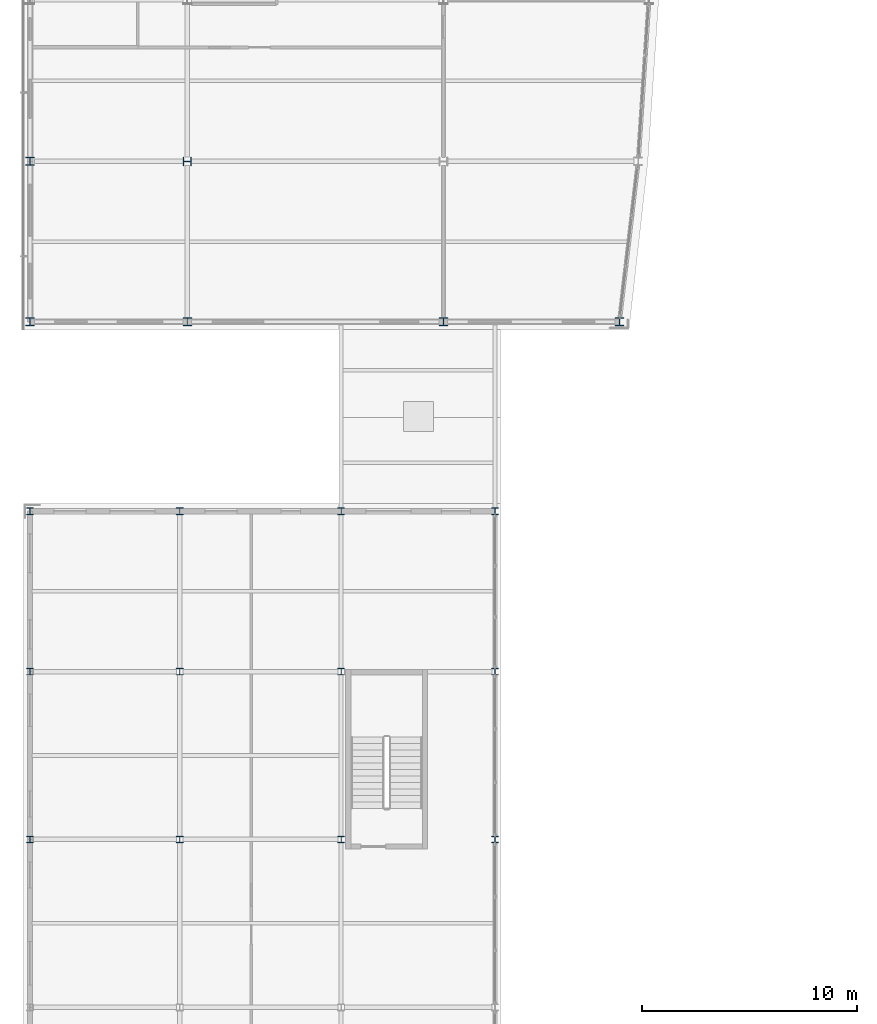
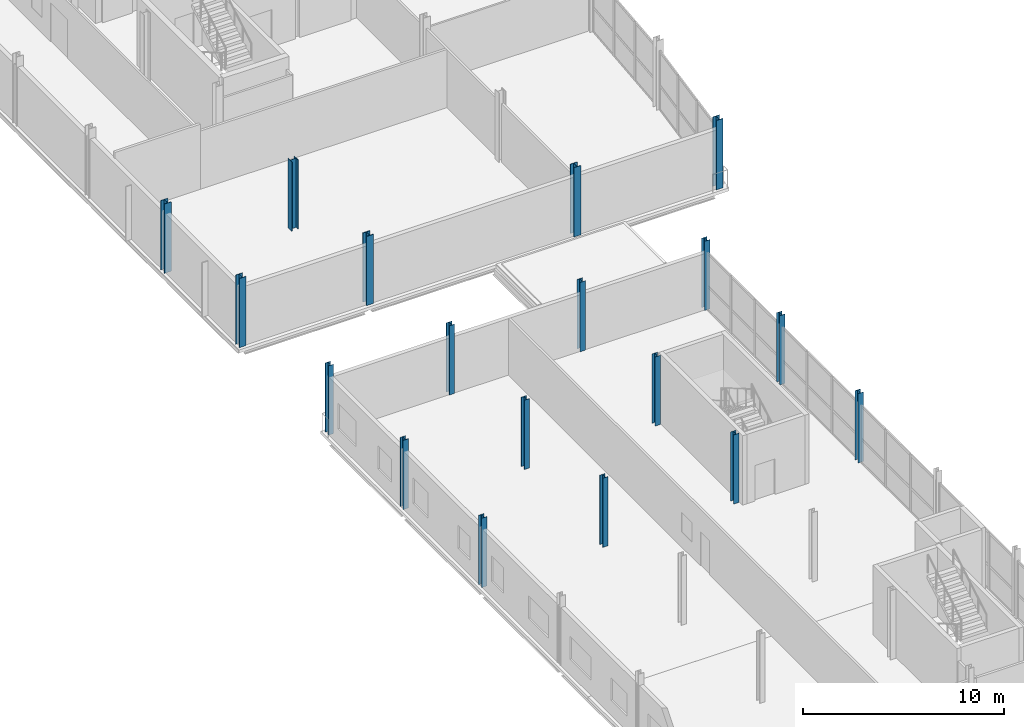
# One storey, part 2 of 65: 18 columns.
"""IFC4 building model written with IfcOpenShell, lengths in metres."""

from ifc_helpers import new_model, si_unit, direction, frame, origin, origin_2d, place, context, subcontext, project, spatial, i_section, extrude, material, material_profile, profile_set, type_object, element, save


model = new_model("IFC4")

# Units and contexts
model_context = context("Model", 3, precision=1e-05, world=origin(), true_north=direction((0.0, 1.0)))
body_context = subcontext(model_context, "Body", "Model", "MODEL_VIEW")
ifc_project = project(units=[si_unit("LENGTHUNIT", "METRE"), si_unit("AREAUNIT", "SQUARE_METRE"), si_unit("VOLUMEUNIT", "CUBIC_METRE"), si_unit("PLANEANGLEUNIT", "RADIAN"), si_unit("MASSUNIT", "GRAM", prefix="KILO")], contexts=[model_context])

# Site, building, storey
site_placement = place(None, origin())
site = spatial("IfcSite", under=ifc_project, at=site_placement, CompositionType="ELEMENT")
building_placement = place(site_placement, origin())
building = spatial("IfcBuilding", under=site, at=building_placement, Name="Quillay Park Conservatory", CompositionType="ELEMENT")
storey_placement = place(building_placement, frame((0.0, 0.0, 14.10009765625)))
storey = spatial("IfcBuildingStorey", under=building, at=storey_placement, Name="L03", CompositionType="ELEMENT", Elevation=14.10009765625)

# Columns
ifc_material_1 = material(Name="Steel ASTM A992 Grade 50", Category="steel")
ifc_material_profile_1 = material_profile(ifc_material_1, i_section(OverallWidth=0.306884765625, OverallDepth=0.31396484375, WebThickness=0.011962890625, FlangeThickness=0.018798828125, FilletRadius=0.014892578125, at=origin_2d()), Name="W310x117")
ifc_profile_set_1 = profile_set([ifc_material_profile_1], Name="Steel ASTM A992 Grade 50")
column_type_1 = type_object("IfcColumnType", Name="COMPOSITE STEEL COLUMN W310 X117", PredefinedType="COLUMN", material=ifc_profile_set_1)
for number, where, z_axis, x_axis, name in (
    (1, (0.550048828125, 39.0, 0.0), (0.0, 0.0, 1.0), (1.0, 0.0, 0.0), "L03 column COL-V3-L03-0-5"),
    (2, (0.550048828125, 46.800048828125, 0.0), (0.0, 0.0, 1.0), (1.0, 0.0, 0.0), "L03 column COL-V3-L03-0-6"),
    (3, (0.550048828125, 54.25, 0.0), (0.0, 0.0, 1.0), (1.0, 0.0, 0.0), "L03 column COL-V3-L03-0-7"),
    (4, (7.5, 39.0, 0.0), (0.0, 0.0, 1.0), (1.0, 0.0, 0.0), "L03 column COL-V3-L03-1-5"),
    (5, (7.5, 46.800048828125, 0.0), (0.0, 0.0, 1.0), (1.0, 0.0, 0.0), "L03 column COL-V3-L03-1-6"),
    (6, (7.5, 54.25, 0.0), (0.0, 0.0, 1.0), (1.0, 0.0, 0.0), "L03 column COL-V3-L03-1-7"),
    (7, (15.0, 39.0, 0.0), (0.0, 0.0, 1.0), (1.0, 0.0, 0.0), "L03 column COL-V3-L03-2-5"),
    (8, (15.0, 46.800048828125, 0.0), (0.0, 0.0, 1.0), (1.0, 0.0, 0.0), "L03 column COL-V3-L03-2-6"),
    (9, (15.0, 54.25, 0.0), (0.0, 0.0, 1.0), (1.0, 0.0, 0.0), "L03 column COL-V3-L03-2-7"),
    (10, (22.14990234375, 39.0, 0.0), (0.0, 0.0, 1.0), (1.0, 0.0, 0.0), "L03 column COL-V3-L03-3-5"),
    (11, (22.14990234375, 46.800048828125, 0.0), (0.0, 0.0, 1.0), (1.0, 0.0, 0.0), "L03 column COL-V3-L03-3-6"),
    (12, (22.14990234375, 54.25, 0.0), (0.0, 0.0, 1.0), (1.0, 0.0, 0.0), "L03 column COL-V3-L03-3-7"),
):
    element("IfcColumn", number, at=place(storey_placement, frame(where, z_axis=z_axis, x_axis=x_axis)), inside=storey, type_object=column_type_1, Name=name, PredefinedType="COLUMN", context=body_context, shape_type="SweptSolid", body=[
        extrude(i_section(OverallWidth=0.306884765625, OverallDepth=0.31396484375, WebThickness=0.011962890625, FlangeThickness=0.018798828125, FilletRadius=0.014892578125, at=origin_2d()), origin(), (0.0, 0.0, 1.0), 4.199951171875),
    ])
ifc_material_2 = material(Name="Steel ASTM A992 Grade 50", Category="steel")
ifc_material_profile_2 = material_profile(ifc_material_2, i_section(OverallWidth=0.39501953125, OverallDepth=0.3798828125, WebThickness=0.018798828125, FlangeThickness=0.0302734375, FilletRadius=0.014892578125, at=origin_2d()), Name="W360x237")
ifc_profile_set_2 = profile_set([ifc_material_profile_2], Name="Steel ASTM A992 Grade 50")
column_type_2 = type_object("IfcColumnType", Name="COMPOSITE STEEL COLUMN W360 X237", PredefinedType="COLUMN", material=ifc_profile_set_2)
for number, where, z_axis, x_axis, name in (
    (13, (0.550048828125, 63.050048828125, 0.0), (0.0, 0.0, 1.0), (1.0, 0.0, 0.0), "L03 column COL-V4-L03-0-0"),
    (14, (7.85009765625, 63.050048828125, 0.0), (0.0, 0.0, 1.0), (1.0, 0.0, 0.0), "L03 column COL-V4-L03-0-1"),
    (15, (19.75, 63.050048828125, 0.0), (0.0, 0.0, 1.0), (1.0, 0.0, 0.0), "L03 column COL-V4-L03-0-2"),
    (16, (27.925048828125, 63.050048828125, 0.0), (0.0, 0.0, 1.0), (1.0, 0.0, 0.0), "L03 column COL-V4-L03-0-3"),
    (17, (0.550048828125, 70.5, 0.0), (0.0, 0.0, 1.0), (1.0, 0.0, 0.0), "L03 column COL-V4-L03-1-0"),
    (18, (7.85009765625, 70.5, 0.0), (0.0, 0.0, 1.0), (0.0, 1.0, 0.0), "L03 column COL-V4-L03-1-1"),
):
    element("IfcColumn", number, at=place(storey_placement, frame(where, z_axis=z_axis, x_axis=x_axis)), inside=storey, type_object=column_type_2, Name=name, PredefinedType="COLUMN", context=body_context, shape_type="SweptSolid", body=[
        extrude(i_section(OverallWidth=0.39501953125, OverallDepth=0.3798828125, WebThickness=0.018798828125, FlangeThickness=0.0302734375, FilletRadius=0.014892578125, at=origin_2d()), origin(), (0.0, 0.0, 1.0), 4.199951171875),
    ])

save(model, "model.ifc")
